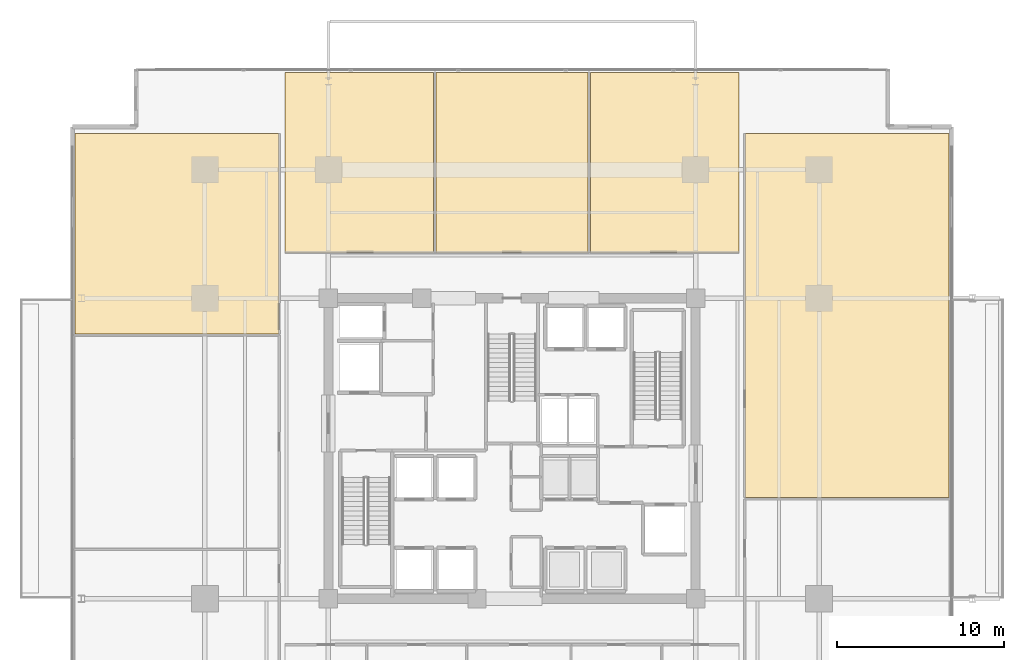
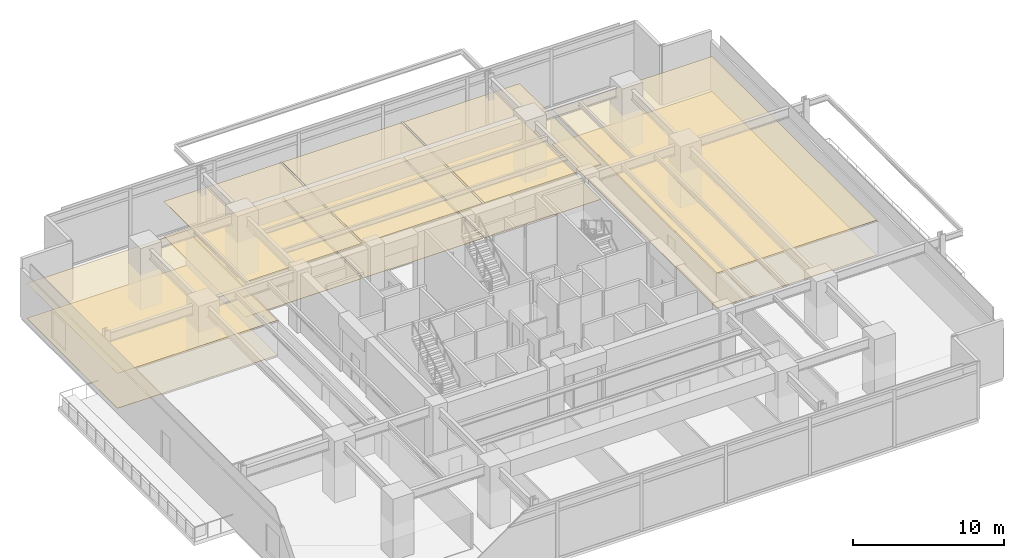
# One storey, part 23 of 24: 10 coverings.
"""IFC4 building model written with IfcOpenShell, lengths in metres."""

from ifc_helpers import new_model, si_unit, direction, frame, origin, place, context, subcontext, project, spatial, polyline, outline, extrude, material, layer, layer_set, type_object, element, save


model = new_model("IFC4")

# Units and contexts
model_context = context("Model", 3, precision=1e-05, world=origin(), true_north=direction((0.0, 1.0)))
body_context = subcontext(model_context, "Body", "Model", "MODEL_VIEW")
ifc_project = project(units=[si_unit("LENGTHUNIT", "METRE"), si_unit("AREAUNIT", "SQUARE_METRE"), si_unit("VOLUMEUNIT", "CUBIC_METRE"), si_unit("PLANEANGLEUNIT", "RADIAN"), si_unit("MASSUNIT", "GRAM", prefix="KILO")], contexts=[model_context])

# Site, building, storey
site_placement = place(None, origin())
site = spatial("IfcSite", under=ifc_project, at=site_placement, CompositionType="ELEMENT")
building_placement = place(site_placement, origin())
building = spatial("IfcBuilding", under=site, at=building_placement, Name="Kovane Verandah Tower", CompositionType="ELEMENT")
storey_placement = place(building_placement, frame((0.0, 0.0, 118.39990234375)))
storey = spatial("IfcBuildingStorey", under=building, at=storey_placement, Name="L27", CompositionType="ELEMENT", Elevation=118.39990234375)

# Coverings
ifc_material_1 = material(Name="Perforated Acoustic Mineral-Fibre Ceiling Tile", Category="gypsum")
ifc_layer_1 = layer(ifc_material_1, 0.02490234375)
ifc_layer_set_1 = layer_set([ifc_layer_1], Name="Perforated Acoustic Mineral-Fibre Ceiling Tile")
covering_type_1 = type_object("IfcCoveringType", Name="CV-CEIL-25", PredefinedType="CEILING", material=ifc_layer_set_1)
covering_1_placement = place(storey_placement, frame((0.0, 0.0, 2.8251953125)))
element("IfcCovering", 1, at=covering_1_placement, inside=storey, type_object=covering_type_1, Name="L27 Sky Lobby Transfer Lounge N1 Acoustic Ceiling", PredefinedType="CEILING", context=body_context, shape_type="SweptSolid", body=[
    extrude(outline(polyline([(26.39990234375, 39.25), (35.305908203125, 39.25), (35.305908203125, 50.02099609375), (26.39990234375, 50.02099609375), (26.39990234375, 39.25)])), origin(), (0.0, 0.0, 1.0), 0.02490234375),
])
covering_2_placement = place(storey_placement, frame((0.0, 0.0, 2.8251953125)))
element("IfcCovering", 2, at=covering_2_placement, inside=storey, type_object=covering_type_1, Name="L27 Executive Office N2 Acoustic Ceiling", PredefinedType="CEILING", context=body_context, shape_type="SweptSolid", body=[
    extrude(outline(polyline([(35.446044921875, 39.25), (44.553955078125, 39.25), (44.553955078125, 50.02099609375), (35.446044921875, 50.02099609375), (35.446044921875, 39.25)])), origin(), (0.0, 0.0, 1.0), 0.02490234375),
])
covering_3_placement = place(storey_placement, frame((0.0, 0.0, 2.8251953125)))
element("IfcCovering", 3, at=covering_3_placement, inside=storey, type_object=covering_type_1, Name="L27 Client Boardroom N3 Acoustic Ceiling", PredefinedType="CEILING", context=body_context, shape_type="SweptSolid", body=[
    extrude(outline(polyline([(44.694091796875, 39.25), (53.60009765625, 39.25), (53.60009765625, 50.02099609375), (44.694091796875, 50.02099609375), (44.694091796875, 39.25)])), origin(), (0.0, 0.0, 1.0), 0.02490234375),
])
covering_4_placement = place(storey_placement, frame((0.0, 0.0, 2.8251953125)))
element("IfcCovering", 4, at=covering_4_placement, inside=storey, type_object=covering_type_1, Name="L27 Client Boardroom W3 Acoustic Ceiling", PredefinedType="CEILING", context=body_context, shape_type="SweptSolid", body=[
    extrude(outline(polyline([(13.820068359375, 34.363525390625), (26.050048828125, 34.363525390625), (26.050048828125, 46.370849609375), (13.820068359375, 46.370849609375), (13.820068359375, 34.363525390625)])), origin(), (0.0, 0.0, 1.0), 0.02490234375),
])
covering_5_placement = place(storey_placement, frame((0.0, 0.0, 2.8251953125)))
element("IfcCovering", 5, at=covering_5_placement, inside=storey, type_object=covering_type_1, Name="L27 Focus Studio E2 Acoustic Ceiling", PredefinedType="CEILING", context=body_context, shape_type="SweptSolid", body=[
    extrude(outline(polyline([(53.949951171875, 24.55078125), (66.179931640625, 24.55078125), (66.179931640625, 46.370849609375), (53.949951171875, 46.370849609375), (53.949951171875, 24.55078125)])), origin(), (0.0, 0.0, 1.0), 0.02490234375),
])
ifc_material_2 = material(Name="Polished Terrazzo and Raised-Access Carpet Tile Finish", Category="concrete")
ifc_layer_2 = layer(ifc_material_2, 0.030029296875)
ifc_layer_set_2 = layer_set([ifc_layer_2], Name="Polished Terrazzo and Raised-Access Carpet Tile Finish")
covering_type_2 = type_object("IfcCoveringType", Name="CV-FLOR-30", PredefinedType="FLOORING", material=ifc_layer_set_2)
covering_6_placement = place(storey_placement, origin())
element("IfcCovering", 6, at=covering_6_placement, inside=storey, type_object=covering_type_2, Name="L27 Sky Lobby Transfer Lounge N1 Floor Finish", PredefinedType="FLOORING", context=body_context, shape_type="SweptSolid", body=[
    extrude(outline(polyline([(26.39990234375, 39.25), (35.305908203125, 39.25), (35.305908203125, 50.02099609375), (26.39990234375, 50.02099609375), (26.39990234375, 39.25)])), origin(), (0.0, 0.0, 1.0), 0.030029296875),
])
covering_7_placement = place(storey_placement, origin())
element("IfcCovering", 7, at=covering_7_placement, inside=storey, type_object=covering_type_2, Name="L27 Executive Office N2 Floor Finish", PredefinedType="FLOORING", context=body_context, shape_type="SweptSolid", body=[
    extrude(outline(polyline([(35.446044921875, 39.25), (44.553955078125, 39.25), (44.553955078125, 50.02099609375), (35.446044921875, 50.02099609375), (35.446044921875, 39.25)])), origin(), (0.0, 0.0, 1.0), 0.030029296875),
])
covering_8_placement = place(storey_placement, origin())
element("IfcCovering", 8, at=covering_8_placement, inside=storey, type_object=covering_type_2, Name="L27 Client Boardroom N3 Floor Finish", PredefinedType="FLOORING", context=body_context, shape_type="SweptSolid", body=[
    extrude(outline(polyline([(44.694091796875, 39.25), (53.60009765625, 39.25), (53.60009765625, 50.02099609375), (44.694091796875, 50.02099609375), (44.694091796875, 39.25)])), origin(), (0.0, 0.0, 1.0), 0.030029296875),
])
covering_9_placement = place(storey_placement, origin())
element("IfcCovering", 9, at=covering_9_placement, inside=storey, type_object=covering_type_2, Name="L27 Client Boardroom W3 Floor Finish", PredefinedType="FLOORING", context=body_context, shape_type="SweptSolid", body=[
    extrude(outline(polyline([(13.820068359375, 34.363525390625), (26.050048828125, 34.363525390625), (26.050048828125, 46.370849609375), (13.820068359375, 46.370849609375), (13.820068359375, 34.363525390625)])), origin(), (0.0, 0.0, 1.0), 0.030029296875),
])
covering_10_placement = place(storey_placement, origin())
element("IfcCovering", 10, at=covering_10_placement, inside=storey, type_object=covering_type_2, Name="L27 Focus Studio E2 Floor Finish", PredefinedType="FLOORING", context=body_context, shape_type="SweptSolid", body=[
    extrude(outline(polyline([(53.949951171875, 24.55078125), (66.179931640625, 24.55078125), (66.179931640625, 46.370849609375), (53.949951171875, 46.370849609375), (53.949951171875, 24.55078125)])), origin(), (0.0, 0.0, 1.0), 0.030029296875),
])

save(model, "model.ifc")
